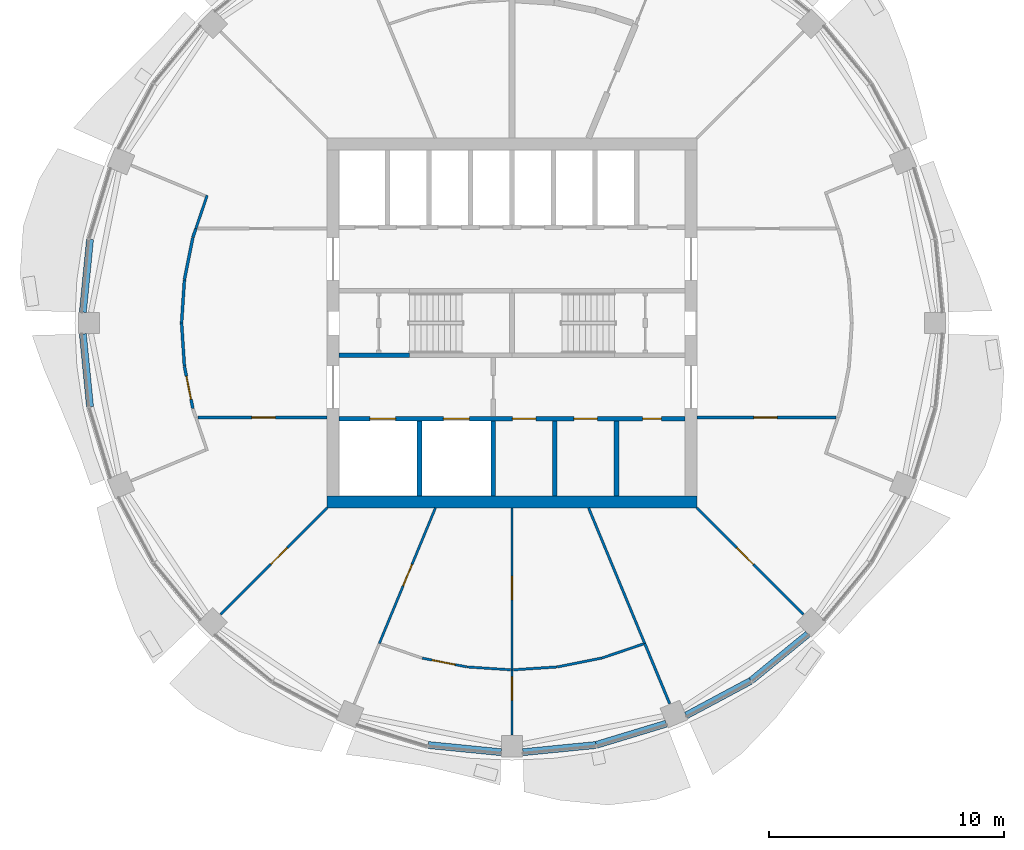
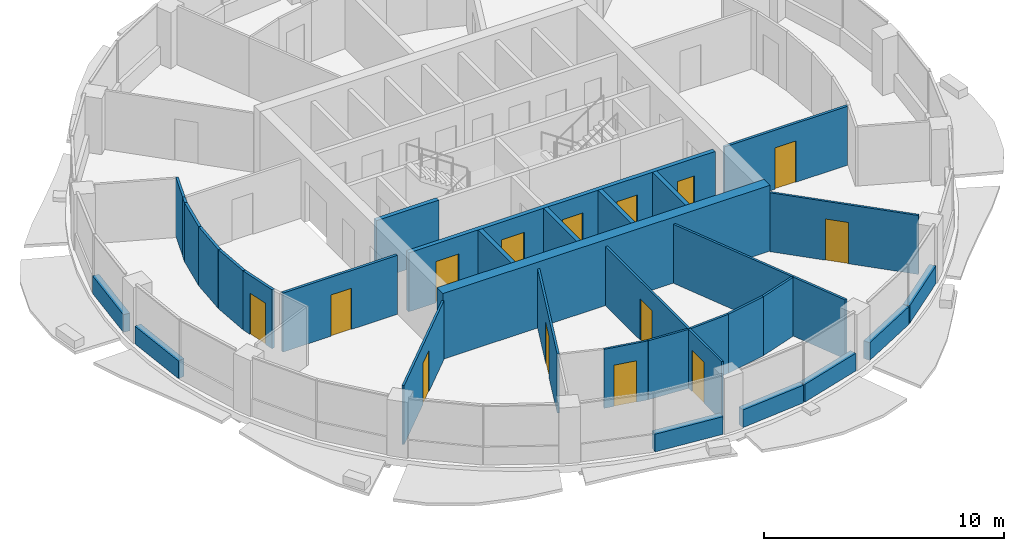
# One storey, part 8 of 15: 34 walls, 14 doors, 14 openings.
"""IFC4 building model written with IfcOpenShell, lengths in metres."""

from ifc_helpers import new_model, si_unit, direction, frame, frame_2d, origin, place, context, subcontext, project, spatial, rectangle, extrude, material, layer, layer_set, type_object, element, fill, save


model = new_model("IFC4")

# Units and contexts
model_context = context("Model", 3, precision=1e-05, world=origin(), true_north=direction((0.0, 1.0)))
body_context = subcontext(model_context, "Body", "Model", "MODEL_VIEW")
ifc_project = project(units=[si_unit("LENGTHUNIT", "METRE"), si_unit("AREAUNIT", "SQUARE_METRE"), si_unit("VOLUMEUNIT", "CUBIC_METRE"), si_unit("PLANEANGLEUNIT", "RADIAN"), si_unit("MASSUNIT", "GRAM", prefix="KILO")], contexts=[model_context])

# Site, building, storey
site_placement = place(None, origin())
site = spatial("IfcSite", under=ifc_project, at=site_placement, CompositionType="ELEMENT")
building_placement = place(site_placement, origin())
building = spatial("IfcBuilding", under=site, at=building_placement, Name="Polderwave Tower", CompositionType="ELEMENT")
storey_placement = place(building_placement, frame((0.0, 0.0, 180.949951171875)))
storey = spatial("IfcBuildingStorey", under=building, at=storey_placement, Name="L48", CompositionType="ELEMENT", Elevation=180.949951171875)

# Walls
ifc_material_1 = material(Name="Concrete C60/75", Category="concrete")
ifc_layer_1 = layer(ifc_material_1, 0.5)
ifc_layer_set_1 = layer_set([ifc_layer_1], Name="CORE WALL 500 C60/75")
wall_type_1 = type_object("IfcWallType", Name="CORE WALL 500 C60/75", PredefinedType="SHEAR", material=ifc_layer_set_1)
wall_1_placement = place(storey_placement, frame((-7.8740234375, -7.6240234375, 0.0), z_axis=(0.0, 0.0, 1.0), x_axis=(1.0, 0.0, 0.0)))
element("IfcWall", 1, at=wall_1_placement, inside=storey, type_object=wall_type_1, Name="ST-CORE-L48-S", PredefinedType="SHEAR", context=body_context, shape_type="SweptSolid", body=[
    extrude(rectangle(XDim=15.748046875, YDim=0.5, at=frame_2d((7.8740234375, 0.0))), origin(), (0.0, 0.0, 1.0), 3.35009765625),
])
ifc_material_2 = material(Name="Concrete C50/60 (board-marked)", Category="concrete")
ifc_layer_2 = layer(ifc_material_2, 0.300048828125)
ifc_layer_set_2 = layer_set([ifc_layer_2], Name="Concrete spandrel upstand C50/60")
wall_type_2 = type_object("IfcWallType", Name="Concrete spandrel upstand C50/60", PredefinedType="SOLIDWALL", material=ifc_layer_set_2)
for number, where, z_axis, x_axis, name in (
    (2, (-17.969482421875, 3.55908203125, 0.0), (0.0, 0.0, 1.0), (-0.098042483483, -0.995182230264, 0.0), "Spandrel L48 8b"),
    (3, (-18.2744140625, -0.4638671875, 0.0), (0.0, 0.0, 1.0), (0.098042483483, -0.995182230264, 0.0), "Spandrel L48 9a"),
    (4, (-3.55908203125, -17.969482421875, 0.0), (0.0, 0.0, 1.0), (0.995182230264, -0.098042483483, 0.0), "Spandrel L48 12b"),
    (5, (0.4638671875, -18.2744140625, 0.0), (0.0, 0.0, 1.0), (0.995182230264, 0.098042483483, 0.0), "Spandrel L48 13a"),
):
    element("IfcWall", number, at=place(storey_placement, frame(where, z_axis=z_axis, x_axis=x_axis)), inside=storey, type_object=wall_type_2, Name=name, PredefinedType="SOLIDWALL", context=body_context, shape_type="SweptSolid", body=[
        extrude(rectangle(XDim=3.110107421875, YDim=0.300048828125, at=frame_2d((1.55517578125, 0.0))), origin(), (0.0, 0.0, 1.0), 0.900146484375),
    ])
for number, where, z_axis, x_axis, name in (
    (6, (3.58837890625, -17.963623046875, 0.0), (0.0, 0.0, 1.0), (0.956898885778, 0.290421284339, 0.0), "Spandrel L48 13b"),
    (7, (7.422119140625, -16.705810546875, 0.0), (0.0, 0.0, 1.0), (0.881813490025, 0.471598312985, 0.0), "Spandrel L48 14a"),
):
    element("IfcWall", number, at=place(storey_placement, frame(where, z_axis=z_axis, x_axis=x_axis)), inside=storey, type_object=wall_type_2, Name=name, PredefinedType="SOLIDWALL", context=body_context, shape_type="SweptSolid", body=[
        extrude(rectangle(XDim=3.1103515625, YDim=0.300048828125, at=frame_2d((1.55517578125, 0.0))), origin(), (0.0, 0.0, 1.0), 0.900146484375),
    ])
wall_2_placement = place(storey_placement, frame((10.189697265625, -15.222412109375, 0.0), z_axis=(0.0, 0.0, 1.0), x_axis=(0.773113831461, 0.634267296653, 0.0)))
element("IfcWall", 8, at=wall_2_placement, inside=storey, type_object=wall_type_2, Name="Spandrel L48 14b", PredefinedType="SOLIDWALL", context=body_context, shape_type="SweptSolid", body=[
    extrude(rectangle(XDim=3.110595703125, YDim=0.300048828125, at=frame_2d((1.55517578125, 0.0))), origin(), (0.0, 0.0, 1.0), 0.900146484375),
])
ifc_material_3 = material(Name="Gypsum board partition")
ifc_layer_3 = layer(ifc_material_3, 0.199951171875)
ifc_layer_set_3 = layer_set([ifc_layer_3], Name="Core room partition 200")
wall_type_3 = type_object("IfcWallType", Name="Core room partition 200", PredefinedType="PARTITIONING", material=ifc_layer_set_3)
for number, where, z_axis, x_axis, name in (
    (9, (1.823486328125, -7.3740234375, 0.0), (0.0, 0.0, 1.0), (0.0, 1.0, 0.0), "L48 room partition S1"),
    (10, (4.44677734375, -7.3740234375, 0.0), (0.0, 0.0, 1.0), (0.0, 1.0, 0.0), "L48 room partition S2"),
):
    element("IfcWall", number, at=place(storey_placement, frame(where, z_axis=z_axis, x_axis=x_axis)), inside=storey, type_object=wall_type_3, Name=name, PredefinedType="PARTITIONING", context=body_context, shape_type="SweptSolid", body=[
        extrude(rectangle(XDim=3.199951171875, YDim=0.199951171875, at=frame_2d((1.60009765625, 0.0))), origin(), (0.0, 0.0, 1.0), 3.0),
    ])

# Wall, openings, doors
ifc_material_4 = material(Name="Concrete C50/60", Category="concrete")
ifc_layer_4 = layer(ifc_material_4, 0.199951171875)
ifc_layer_set_4 = layer_set([ifc_layer_4], Name="Core web wall 200")
wall_type_4 = type_object("IfcWallType", Name="Core web wall 200", PredefinedType="SHEAR", material=ifc_layer_set_4)
wall_3_placement = place(storey_placement, frame((-7.3740234375, -4.073974609375, 0.0), z_axis=(0.0, 0.0, 1.0), x_axis=(1.0, 0.0, 0.0)))
wall_3 = element("IfcWall", 11, at=wall_3_placement, inside=storey, type_object=wall_type_4, Name="L48 south front wall", PredefinedType="SHEAR", context=body_context, shape_type="SweptSolid", body=[
    extrude(rectangle(XDim=14.748046875, YDim=0.199951171875, at=frame_2d((7.3740234375, 0.0))), origin(), (0.0, 0.0, 1.0), 3.0),
])
opening_1_placement = place(wall_3_placement, frame((1.318603515625, 0.0, 0.0)))
opening_1 = element("IfcOpeningElement", 12, at=opening_1_placement, cuts=wall_3, Name="Opening L48-D01", PredefinedType="OPENING", context=body_context, shape_type="SweptSolid", body=[
    extrude(rectangle(XDim=1.10009765625, YDim=2.10009765625, at=frame_2d((0.550048828125, 1.050048828125))), frame((0.0, 0.10986328125, 0.0), z_axis=(0.0, -1.0, 0.0), x_axis=(1.0, 0.0, 0.0)), (0.0, 0.0, 1.0), 0.219970703125),
])
opening_2_placement = place(wall_3_placement, frame((4.45556640625, 0.0, 0.0)))
opening_2 = element("IfcOpeningElement", 13, at=opening_2_placement, cuts=wall_3, Name="Opening L48-D02", PredefinedType="OPENING", context=body_context, shape_type="SweptSolid", body=[
    extrude(rectangle(XDim=1.10009765625, YDim=2.10009765625, at=frame_2d((0.550048828125, 1.050048828125))), frame((0.0, 0.10986328125, 0.0), z_axis=(0.0, -1.0, 0.0), x_axis=(1.0, 0.0, 0.0)), (0.0, 0.0, 1.0), 0.219970703125),
])
opening_3_placement = place(wall_3_placement, frame((7.3857421875, 0.0, 0.0)))
opening_3 = element("IfcOpeningElement", 14, at=opening_3_placement, cuts=wall_3, Name="Opening L48-D15", PredefinedType="OPENING", context=body_context, shape_type="SweptSolid", body=[
    extrude(rectangle(XDim=1.0, YDim=2.10009765625, at=frame_2d((0.5, 1.050048828125))), frame((0.0, 0.10986328125, 0.0), z_axis=(0.0, -1.0, 0.0), x_axis=(1.0, 0.0, 0.0)), (0.0, 0.0, 1.0), 0.219970703125),
])
opening_4_placement = place(wall_3_placement, frame((10.009033203125, 0.0, 0.0)))
opening_4 = element("IfcOpeningElement", 15, at=opening_4_placement, cuts=wall_3, Name="Opening L48-D16", PredefinedType="OPENING", context=body_context, shape_type="SweptSolid", body=[
    extrude(rectangle(XDim=1.0, YDim=2.10009765625, at=frame_2d((0.5, 1.050048828125))), frame((0.0, 0.10986328125, 0.0), z_axis=(0.0, -1.0, 0.0), x_axis=(1.0, 0.0, 0.0)), (0.0, 0.0, 1.0), 0.219970703125),
])
opening_5_placement = place(wall_3_placement, frame((12.934326171875, 0.0, 0.0)))
opening_5 = element("IfcOpeningElement", 16, at=opening_5_placement, cuts=wall_3, Name="Opening L48-D17", PredefinedType="OPENING", context=body_context, shape_type="SweptSolid", body=[
    extrude(rectangle(XDim=0.800048828125, YDim=2.10009765625, at=frame_2d((0.39990234375, 1.050048828125))), frame((0.0, 0.10986328125, 0.0), z_axis=(0.0, -1.0, 0.0), x_axis=(1.0, 0.0, 0.0)), (0.0, 0.0, 1.0), 0.219970703125),
])
ifc_material_5 = material(Name="Stainless steel", Category="steel")
door_type_1 = type_object("IfcDoorType", Name="Fire-fighting lift landing door 1100", OperationType="DOUBLE_DOOR_SLIDING", PredefinedType="DOOR", material=ifc_material_5)
door_1_placement = place(opening_1_placement, origin())
door_1 = element("IfcDoor", 17, at=door_1_placement, inside=storey, type_object=door_type_1, Name="Fire-fighting lift FF1 landing door", OperationType="DOUBLE_DOOR_SLIDING", OverallHeight=2.10009765625, OverallWidth=1.10009765625, PredefinedType="DOOR", context=body_context, shape_type="SweptSolid", body=[
    extrude(rectangle(XDim=1.10009765625, YDim=2.10009765625, at=frame_2d((0.550048828125, 1.050048828125))), frame((0.0, 0.02490234375, 0.0), z_axis=(0.0, -1.0, 0.0), x_axis=(1.0, 0.0, 0.0)), (0.0, 0.0, 1.0), 0.050048828125),
])
fill(opening_1, door_1)
door_2_placement = place(opening_2_placement, origin())
door_2 = element("IfcDoor", 18, at=door_2_placement, inside=storey, type_object=door_type_1, Name="Fire-fighting lift FF2 landing door", OperationType="DOUBLE_DOOR_SLIDING", OverallHeight=2.10009765625, OverallWidth=1.10009765625, PredefinedType="DOOR", context=body_context, shape_type="SweptSolid", body=[
    extrude(rectangle(XDim=1.10009765625, YDim=2.10009765625, at=frame_2d((0.550048828125, 1.050048828125))), frame((0.0, 0.02490234375, 0.0), z_axis=(0.0, -1.0, 0.0), x_axis=(1.0, 0.0, 0.0)), (0.0, 0.0, 1.0), 0.050048828125),
])
fill(opening_2, door_2)
ifc_material_6 = material(Name="Steel fire door", Category="steel")
door_type_2 = type_object("IfcDoorType", Name="Riser door 800", OperationType="NOTDEFINED", PredefinedType="DOOR", material=ifc_material_6)
door_3_placement = place(opening_5_placement, origin())
door_3 = element("IfcDoor", 19, at=door_3_placement, inside=storey, type_object=door_type_2, Name="Electrical room door", OperationType="SINGLE_SWING_RIGHT", OverallHeight=2.10009765625, OverallWidth=0.800048828125, PredefinedType="DOOR", context=body_context, shape_type="SweptSolid", body=[
    extrude(rectangle(XDim=0.800048828125, YDim=2.10009765625, at=frame_2d((0.39990234375, 1.050048828125))), frame((0.0, 0.02490234375, 0.0), z_axis=(0.0, -1.0, 0.0), x_axis=(1.0, 0.0, 0.0)), (0.0, 0.0, 1.0), 0.050048828125),
])
fill(opening_5, door_3)
ifc_material_7 = material(Name="Timber door leaf", Category="wood")
door_type_3 = type_object("IfcDoorType", Name="Room door 1000", OperationType="NOTDEFINED", PredefinedType="DOOR", material=ifc_material_7)
door_4_placement = place(opening_3_placement, frame((1.0, 0.0, 0.0), z_axis=(0.0, 0.0, 1.0), x_axis=(-1.0, 0.0, 0.0)))
door_4 = element("IfcDoor", 20, at=door_4_placement, inside=storey, type_object=door_type_3, Name="Housekeeping store door", OperationType="SINGLE_SWING_LEFT", OverallHeight=2.10009765625, OverallWidth=1.0, PredefinedType="DOOR", context=body_context, shape_type="SweptSolid", body=[
    extrude(rectangle(XDim=1.0, YDim=2.10009765625, at=frame_2d((0.5, 1.050048828125))), frame((0.0, 0.02490234375, 0.0), z_axis=(0.0, -1.0, 0.0), x_axis=(1.0, 0.0, 0.0)), (0.0, 0.0, 1.0), 0.050048828125),
])
fill(opening_3, door_4)
door_5_placement = place(opening_4_placement, frame((1.0, 0.0, 0.0), z_axis=(0.0, 0.0, 1.0), x_axis=(-1.0, 0.0, 0.0)))
door_5 = element("IfcDoor", 21, at=door_5_placement, inside=storey, type_object=door_type_3, Name="Pantry door", OperationType="SINGLE_SWING_LEFT", OverallHeight=2.10009765625, OverallWidth=1.0, PredefinedType="DOOR", context=body_context, shape_type="SweptSolid", body=[
    extrude(rectangle(XDim=1.0, YDim=2.10009765625, at=frame_2d((0.5, 1.050048828125))), frame((0.0, 0.02490234375, 0.0), z_axis=(0.0, -1.0, 0.0), x_axis=(1.0, 0.0, 0.0)), (0.0, 0.0, 1.0), 0.050048828125),
])
fill(opening_4, door_5)

# Wall
wall_4_placement = place(storey_placement, frame((-7.3740234375, -1.375, 0.0), z_axis=(0.0, 0.0, 1.0), x_axis=(1.0, 0.0, 0.0)))
element("IfcWall", 22, at=wall_4_placement, inside=storey, type_object=wall_type_4, Name="L48 south stair wall 1", PredefinedType="SHEAR", context=body_context, shape_type="SweptSolid", body=[
    extrude(rectangle(XDim=3.0, YDim=0.199951171875, at=frame_2d((1.5, 0.0))), origin(), (0.0, 0.0, 1.0), 3.0),
])

# Wall, opening, door
ifc_material_8 = material(Name="Fire-resisting board on steel studs", Category="steel")
ifc_layer_5 = layer(ifc_material_8, 0.125)
ifc_layer_set_5 = layer_set([ifc_layer_5], Name="Corridor wall 125 mm EI 60")
wall_type_5 = type_object("IfcWallType", Name="Corridor wall 125 mm EI 60", PredefinedType="PARTITIONING", material=ifc_layer_set_5)
wall_5_placement = place(storey_placement, frame((13.794921875, -4.0244140625, 0.0), z_axis=(0.0, 0.0, 1.0), x_axis=(-1.0, 0.0, 0.0)))
wall_5 = element("IfcWall", 23, at=wall_5_placement, inside=storey, type_object=wall_type_5, Name="IN-L48-W008", PredefinedType="PARTITIONING", context=body_context, shape_type="SweptSolid", body=[
    extrude(rectangle(XDim=5.9208984375, YDim=0.125, at=frame_2d((2.96044921875, 0.0))), origin(), (0.0, 0.0, 1.0), 3.0),
])
opening_6_placement = place(wall_5_placement, frame((2.5, 0.0, 0.0)))
opening_6 = element("IfcOpeningElement", 24, at=opening_6_placement, cuts=wall_5, Name="Opening L48-D52", PredefinedType="OPENING", context=body_context, shape_type="SweptSolid", body=[
    extrude(rectangle(XDim=1.0, YDim=2.10009765625, at=frame_2d((0.5, 1.050048828125))), frame((0.0, 0.072509765625, 0.0), z_axis=(0.0, -1.0, 0.0), x_axis=(1.0, 0.0, 0.0)), (0.0, 0.0, 1.0), 0.14501953125),
])
ifc_material_9 = material(Name="Timber fire door leaf", Category="wood")
door_type_4 = type_object("IfcDoorType", Name="Fire door FD30S 1000 x 2100", OperationType="NOTDEFINED", PredefinedType="DOOR", material=ifc_material_9)
door_6_placement = place(opening_6_placement, origin())
door_6 = element("IfcDoor", 25, at=door_6_placement, inside=storey, type_object=door_type_4, Name="Door L48-D52", OperationType="SINGLE_SWING_RIGHT", OverallHeight=2.10009765625, OverallWidth=1.0, PredefinedType="DOOR", context=body_context, shape_type="SweptSolid", body=[
    extrude(rectangle(XDim=1.0, YDim=2.10009765625, at=frame_2d((0.5, 1.050048828125))), frame((0.0, 0.02490234375, 0.0), z_axis=(0.0, -1.0, 0.0), x_axis=(1.0, 0.0, 0.0)), (0.0, 0.0, 1.0), 0.050048828125),
])
fill(opening_6, door_6)

# Walls
for number, where, z_axis, x_axis, name in (
    (26, (-14.069580078125, 0.004150390625, 0.0), (0.0, 0.0, 1.0), (0.065289693198, 0.997866351754, 0.0), "IN-L48-W010"),
    (27, (-13.949951171875, -1.83251953125, 0.0), (0.0, 0.0, 1.0), (-0.065289693198, 0.997866351754, 0.0), "IN-L48-W011"),
    (28, (-13.94873046875, 1.840576171875, 0.0), (0.0, 0.0, 1.0), (0.195065465094, 0.980790224425, 0.0), "IN-L48-W012"),
):
    element("IfcWall", number, at=place(storey_placement, frame(where, z_axis=z_axis, x_axis=x_axis)), inside=storey, type_object=wall_type_5, Name=name, PredefinedType="PARTITIONING", context=body_context, shape_type="SweptSolid", body=[
        extrude(rectangle(XDim=1.832275390625, YDim=0.125, at=frame_2d((0.916015625, 0.0))), origin(), (0.0, 0.0, 1.0), 3.0),
    ])

# Wall, opening, door
wall_6_placement = place(storey_placement, frame((-13.59130859375, -3.6376953125, 0.0), z_axis=(0.0, 0.0, 1.0), x_axis=(-0.195065465094, 0.980790224425, 0.0)))
wall_6 = element("IfcWall", 29, at=wall_6_placement, inside=storey, type_object=wall_type_5, Name="IN-L48-W013", PredefinedType="PARTITIONING", context=body_context, shape_type="SweptSolid", body=[
    extrude(rectangle(XDim=1.832275390625, YDim=0.125, at=frame_2d((0.916015625, 0.0))), origin(), (0.0, 0.0, 1.0), 3.0),
])
opening_7_placement = place(wall_6_placement, frame((0.39990234375, 0.0, 0.0)))
opening_7 = element("IfcOpeningElement", 30, at=opening_7_placement, cuts=wall_6, Name="Opening L48-D54", PredefinedType="OPENING", context=body_context, shape_type="SweptSolid", body=[
    extrude(rectangle(XDim=1.0, YDim=2.10009765625, at=frame_2d((0.5, 1.050048828125))), frame((0.0, 0.072509765625, 0.0), z_axis=(0.0, -1.0, 0.0), x_axis=(1.0, 0.0, 0.0)), (0.0, 0.0, 1.0), 0.14501953125),
])
door_7_placement = place(opening_7_placement, origin())
door_7 = element("IfcDoor", 31, at=door_7_placement, inside=storey, type_object=door_type_4, Name="Door L48-D54", OperationType="SINGLE_SWING_LEFT", OverallHeight=2.10009765625, OverallWidth=1.0, PredefinedType="DOOR", context=body_context, shape_type="SweptSolid", body=[
    extrude(rectangle(XDim=1.0, YDim=2.10009765625, at=frame_2d((0.5, 1.050048828125))), frame((0.0, 0.02490234375, 0.0), z_axis=(0.0, -1.0, 0.0), x_axis=(1.0, 0.0, 0.0)), (0.0, 0.0, 1.0), 0.050048828125),
])
fill(opening_7, door_7)

# Wall
wall_7_placement = place(storey_placement, frame((-13.58935546875, 3.6455078125, 0.0), z_axis=(0.0, 0.0, 1.0), x_axis=(0.321530820204, 0.94689911377, 0.0)))
element("IfcWall", 32, at=wall_7_placement, inside=storey, type_object=wall_type_5, Name="IN-L48-W014", PredefinedType="PARTITIONING", context=body_context, shape_type="SweptSolid", body=[
    extrude(rectangle(XDim=0.400146484375, YDim=0.125, at=frame_2d((0.2001953125, 0.0))), origin(), (0.0, 0.0, 1.0), 3.0),
])

# Wall, opening, door
wall_8_placement = place(storey_placement, frame((-7.8740234375, -4.0244140625, 0.0), z_axis=(0.0, 0.0, 1.0), x_axis=(-1.0, 0.0, 0.0)))
wall_8 = element("IfcWall", 33, at=wall_8_placement, inside=storey, type_object=wall_type_5, Name="IN-L48-W016", PredefinedType="PARTITIONING", context=body_context, shape_type="SweptSolid", body=[
    extrude(rectangle(XDim=5.499267578125, YDim=0.125, at=frame_2d((2.74951171875, 0.0))), origin(), (0.0, 0.0, 1.0), 3.0),
])
opening_8_placement = place(wall_8_placement, frame((2.199951171875, 0.0, 0.0)))
opening_8 = element("IfcOpeningElement", 34, at=opening_8_placement, cuts=wall_8, Name="Opening L48-D55", PredefinedType="OPENING", context=body_context, shape_type="SweptSolid", body=[
    extrude(rectangle(XDim=1.0, YDim=2.10009765625, at=frame_2d((0.5, 1.050048828125))), frame((0.0, 0.072509765625, 0.0), z_axis=(0.0, -1.0, 0.0), x_axis=(1.0, 0.0, 0.0)), (0.0, 0.0, 1.0), 0.14501953125),
])
door_8_placement = place(opening_8_placement, origin())
door_8 = element("IfcDoor", 35, at=door_8_placement, inside=storey, type_object=door_type_4, Name="Door L48-D55", OperationType="SINGLE_SWING_LEFT", OverallHeight=2.10009765625, OverallWidth=1.0, PredefinedType="DOOR", context=body_context, shape_type="SweptSolid", body=[
    extrude(rectangle(XDim=1.0, YDim=2.10009765625, at=frame_2d((0.5, 1.050048828125))), frame((0.0, 0.02490234375, 0.0), z_axis=(0.0, -1.0, 0.0), x_axis=(1.0, 0.0, 0.0)), (0.0, 0.0, 1.0), 0.050048828125),
])
fill(opening_8, door_8)

ifc_material_10 = material(Name="Plasterboard on steel studs", Category="steel")
ifc_layer_6 = layer(ifc_material_10, 0.10009765625)
ifc_layer_set_6 = layer_set([ifc_layer_6], Name="Partition 100 mm plasterboard on steel studs")
wall_type_6 = type_object("IfcWallType", Name="Partition 100 mm plasterboard on steel studs", PredefinedType="PARTITIONING", material=ifc_layer_set_6)
wall_9_placement = place(storey_placement, frame((-7.8740234375, -7.8740234375, 0.0), z_axis=(0.0, 0.0, 1.0), x_axis=(-0.707106781187, -0.707106781187, 0.0)))
wall_9 = element("IfcWall", 36, at=wall_9_placement, inside=storey, type_object=wall_type_6, Name="IN-L48-W039", PredefinedType="PARTITIONING", context=body_context, shape_type="SweptSolid", body=[
    extrude(rectangle(XDim=6.404296875, YDim=0.10009765625, at=frame_2d((3.2021484375, 0.0))), origin(), (0.0, 0.0, 1.0), 3.0),
])
opening_9_placement = place(wall_9_placement, frame((2.39990234375, 0.0, 0.0)))
opening_9 = element("IfcOpeningElement", 37, at=opening_9_placement, cuts=wall_9, Name="Opening L48-D62", PredefinedType="OPENING", context=body_context, shape_type="SweptSolid", body=[
    extrude(rectangle(XDim=1.0, YDim=2.10009765625, at=frame_2d((0.5, 1.050048828125))), frame((0.0, 0.06005859375, 0.0), z_axis=(0.0, -1.0, 0.0), x_axis=(1.0, 0.0, 0.0)), (0.0, 0.0, 1.0), 0.1201171875),
])
ifc_material_11 = material(Name="Timber veneer door leaf", Category="wood")
door_type_5 = type_object("IfcDoorType", Name="Single door 1000 x 2100", OperationType="NOTDEFINED", PredefinedType="DOOR", material=ifc_material_11)
door_9_placement = place(opening_9_placement, origin())
door_9 = element("IfcDoor", 38, at=door_9_placement, inside=storey, type_object=door_type_5, Name="Door L48-D62", OperationType="SINGLE_SWING_LEFT", OverallHeight=2.10009765625, OverallWidth=1.0, PredefinedType="DOOR", context=body_context, shape_type="SweptSolid", body=[
    extrude(rectangle(XDim=1.0, YDim=2.10009765625, at=frame_2d((0.5, 1.050048828125))), frame((0.0, 0.02490234375, 0.0), z_axis=(0.0, -1.0, 0.0), x_axis=(1.0, 0.0, 0.0)), (0.0, 0.0, 1.0), 0.050048828125),
])
fill(opening_9, door_9)

wall_10_placement = place(storey_placement, frame((-3.261474609375, -7.8740234375, 0.0), z_axis=(0.0, 0.0, 1.0), x_axis=(-0.382669328176, -0.923885374532, 0.0)))
wall_10 = element("IfcWall", 39, at=wall_10_placement, inside=storey, type_object=wall_type_6, Name="IN-L48-W040", PredefinedType="PARTITIONING", context=body_context, shape_type="SweptSolid", body=[
    extrude(rectangle(XDim=6.247314453125, YDim=0.10009765625, at=frame_2d((3.12353515625, 0.0))), origin(), (0.0, 0.0, 1.0), 3.0),
])
opening_10_placement = place(wall_10_placement, frame((2.60009765625, 0.0, 0.0)))
opening_10 = element("IfcOpeningElement", 40, at=opening_10_placement, cuts=wall_10, Name="Opening L48-D63", PredefinedType="OPENING", context=body_context, shape_type="SweptSolid", body=[
    extrude(rectangle(XDim=1.0, YDim=2.10009765625, at=frame_2d((0.5, 1.050048828125))), frame((0.0, 0.06005859375, 0.0), z_axis=(0.0, -1.0, 0.0), x_axis=(1.0, 0.0, 0.0)), (0.0, 0.0, 1.0), 0.1201171875),
])
door_10_placement = place(opening_10_placement, origin())
door_10 = element("IfcDoor", 41, at=door_10_placement, inside=storey, type_object=door_type_5, Name="Door L48-D63", OperationType="SINGLE_SWING_LEFT", OverallHeight=2.10009765625, OverallWidth=1.0, PredefinedType="DOOR", context=body_context, shape_type="SweptSolid", body=[
    extrude(rectangle(XDim=1.0, YDim=2.10009765625, at=frame_2d((0.5, 1.050048828125))), frame((0.0, 0.02490234375, 0.0), z_axis=(0.0, -1.0, 0.0), x_axis=(1.0, 0.0, 0.0)), (0.0, 0.0, 1.0), 0.050048828125),
])
fill(opening_10, door_10)

wall_11_placement = place(storey_placement, frame((-1.93115234375, -14.64306640625, 0.0), z_axis=(0.0, 0.0, 1.0), x_axis=(-0.980775263006, 0.195140676117, 0.0)))
wall_11 = element("IfcWall", 42, at=wall_11_placement, inside=storey, type_object=wall_type_6, Name="IN-L48-W043", PredefinedType="PARTITIONING", context=body_context, shape_type="SweptSolid", body=[
    extrude(rectangle(XDim=1.925537109375, YDim=0.10009765625, at=frame_2d((0.962890625, 0.0))), origin(), (0.0, 0.0, 1.0), 3.0),
])
opening_11_placement = place(wall_11_placement, frame((0.5, 0.0, 0.0)))
opening_11 = element("IfcOpeningElement", 43, at=opening_11_placement, cuts=wall_11, Name="Opening L48-D64", PredefinedType="OPENING", context=body_context, shape_type="SweptSolid", body=[
    extrude(rectangle(XDim=1.0, YDim=2.10009765625, at=frame_2d((0.5, 1.050048828125))), frame((0.0, 0.06005859375, 0.0), z_axis=(0.0, -1.0, 0.0), x_axis=(1.0, 0.0, 0.0)), (0.0, 0.0, 1.0), 0.1201171875),
])
door_11_placement = place(opening_11_placement, origin())
door_11 = element("IfcDoor", 44, at=door_11_placement, inside=storey, type_object=door_type_5, Name="Door L48-D64", OperationType="SINGLE_SWING_RIGHT", OverallHeight=2.10009765625, OverallWidth=1.0, PredefinedType="DOOR", context=body_context, shape_type="SweptSolid", body=[
    extrude(rectangle(XDim=1.0, YDim=2.10009765625, at=frame_2d((0.5, 1.050048828125))), frame((0.0, 0.02490234375, 0.0), z_axis=(0.0, -1.0, 0.0), x_axis=(1.0, 0.0, 0.0)), (0.0, 0.0, 1.0), 0.050048828125),
])
fill(opening_11, door_11)

# Wall
wall_12_placement = place(storey_placement, frame((-0.055908203125, -14.766357421875, 0.0), z_axis=(0.0, 0.0, 1.0), x_axis=(-0.997856111695, 0.065446010984, 0.0)))
element("IfcWall", 45, at=wall_12_placement, inside=storey, type_object=wall_type_6, Name="IN-L48-W044", PredefinedType="PARTITIONING", context=body_context, shape_type="SweptSolid", body=[
    extrude(rectangle(XDim=1.87255859375, YDim=0.10009765625, at=frame_2d((0.936279296875, 0.0))), origin(), (0.0, 0.0, 1.0), 3.0),
])

# Wall, opening, door
wall_13_placement = place(storey_placement, frame((0.0, -14.77001953125, 0.0), z_axis=(0.0, 0.0, 1.0), x_axis=(0.0, -1.0, 0.0)))
wall_13 = element("IfcWall", 46, at=wall_13_placement, inside=storey, type_object=wall_type_6, Name="IN-L48-W046", PredefinedType="PARTITIONING", context=body_context, shape_type="SweptSolid", body=[
    extrude(rectangle(XDim=2.77001953125, YDim=0.10009765625, at=frame_2d((1.385009765625, 0.0))), origin(), (0.0, 0.0, 1.0), 3.0),
])
opening_12_placement = place(wall_13_placement, frame((0.300048828125, 0.0, 0.0)))
opening_12 = element("IfcOpeningElement", 47, at=opening_12_placement, cuts=wall_13, Name="Opening L48-D66", PredefinedType="OPENING", context=body_context, shape_type="SweptSolid", body=[
    extrude(rectangle(XDim=1.0, YDim=2.10009765625, at=frame_2d((0.5, 1.050048828125))), frame((0.0, 0.06005859375, 0.0), z_axis=(0.0, -1.0, 0.0), x_axis=(1.0, 0.0, 0.0)), (0.0, 0.0, 1.0), 0.1201171875),
])
door_12_placement = place(opening_12_placement, origin())
door_12 = element("IfcDoor", 48, at=door_12_placement, inside=storey, type_object=door_type_5, Name="Door L48-D66", OperationType="SINGLE_SWING_LEFT", OverallHeight=2.10009765625, OverallWidth=1.0, PredefinedType="DOOR", context=body_context, shape_type="SweptSolid", body=[
    extrude(rectangle(XDim=1.0, YDim=2.10009765625, at=frame_2d((0.5, 1.050048828125))), frame((0.0, 0.02490234375, 0.0), z_axis=(0.0, -1.0, 0.0), x_axis=(1.0, 0.0, 0.0)), (0.0, 0.0, 1.0), 0.050048828125),
])
fill(opening_12, door_12)

wall_14_placement = place(storey_placement, frame((12.402587890625, -12.402587890625, 0.0), z_axis=(0.0, 0.0, 1.0), x_axis=(-0.707106781187, 0.707106781187, 0.0)))
wall_14 = element("IfcWall", 49, at=wall_14_placement, inside=storey, type_object=wall_type_6, Name="IN-L48-W052", PredefinedType="PARTITIONING", context=body_context, shape_type="SweptSolid", body=[
    extrude(rectangle(XDim=6.404296875, YDim=0.10009765625, at=frame_2d((3.2021484375, 0.0))), origin(), (0.0, 0.0, 1.0), 3.0),
])
opening_13_placement = place(wall_14_placement, frame((3.0, 0.0, 0.0)))
opening_13 = element("IfcOpeningElement", 50, at=opening_13_placement, cuts=wall_14, Name="Opening L48-D67", PredefinedType="OPENING", context=body_context, shape_type="SweptSolid", body=[
    extrude(rectangle(XDim=1.0, YDim=2.10009765625, at=frame_2d((0.5, 1.050048828125))), frame((0.0, 0.06005859375, 0.0), z_axis=(0.0, -1.0, 0.0), x_axis=(1.0, 0.0, 0.0)), (0.0, 0.0, 1.0), 0.1201171875),
])
door_13_placement = place(opening_13_placement, origin())
door_13 = element("IfcDoor", 51, at=door_13_placement, inside=storey, type_object=door_type_5, Name="Door L48-D67", OperationType="SINGLE_SWING_RIGHT", OverallHeight=2.10009765625, OverallWidth=1.0, PredefinedType="DOOR", context=body_context, shape_type="SweptSolid", body=[
    extrude(rectangle(XDim=1.0, YDim=2.10009765625, at=frame_2d((0.5, 1.050048828125))), frame((0.0, 0.02490234375, 0.0), z_axis=(0.0, -1.0, 0.0), x_axis=(1.0, 0.0, 0.0)), (0.0, 0.0, 1.0), 0.050048828125),
])
fill(opening_13, door_13)

ifc_material_12 = material(Name="Moisture-resistant board on steel studs, tiled", Category="steel")
ifc_layer_7 = layer(ifc_material_12, 0.10498046875)
ifc_layer_set_7 = layer_set([ifc_layer_7], Name="Partition 105 mm wet room board and tile")
wall_type_7 = type_object("IfcWallType", Name="Partition 105 mm wet room board and tile", PredefinedType="PARTITIONING", material=ifc_layer_set_7)
wall_15_placement = place(storey_placement, frame((0.0, -7.8740234375, 0.0), z_axis=(0.0, 0.0, 1.0), x_axis=(0.0, -1.0, 0.0)))
wall_15 = element("IfcWall", 52, at=wall_15_placement, inside=storey, type_object=wall_type_7, Name="IN-L48-W045", PredefinedType="PARTITIONING", context=body_context, shape_type="SweptSolid", body=[
    extrude(rectangle(XDim=6.89599609375, YDim=0.10498046875, at=frame_2d((3.447998046875, 0.0))), origin(), (0.0, 0.0, 1.0), 3.0),
])
opening_14_placement = place(wall_15_placement, frame((2.89990234375, 0.0, 0.0)))
opening_14 = element("IfcOpeningElement", 53, at=opening_14_placement, cuts=wall_15, Name="Opening L48-D65", PredefinedType="OPENING", context=body_context, shape_type="SweptSolid", body=[
    extrude(rectangle(XDim=1.0, YDim=2.10009765625, at=frame_2d((0.5, 1.050048828125))), frame((0.0, 0.0625, 0.0), z_axis=(0.0, -1.0, 0.0), x_axis=(1.0, 0.0, 0.0)), (0.0, 0.0, 1.0), 0.125),
])
door_14_placement = place(opening_14_placement, origin())
door_14 = element("IfcDoor", 54, at=door_14_placement, inside=storey, type_object=door_type_5, Name="Door L48-D65", OperationType="SINGLE_SWING_LEFT", OverallHeight=2.10009765625, OverallWidth=1.0, PredefinedType="DOOR", context=body_context, shape_type="SweptSolid", body=[
    extrude(rectangle(XDim=1.0, YDim=2.10009765625, at=frame_2d((0.5, 1.050048828125))), frame((0.0, 0.02490234375, 0.0), z_axis=(0.0, -1.0, 0.0), x_axis=(1.0, 0.0, 0.0)), (0.0, 0.0, 1.0), 0.050048828125),
])
fill(opening_14, door_14)

# Walls
wall_16_placement = place(storey_placement, frame((1.924560546875, -14.643798828125, 0.0), z_axis=(0.0, 0.0, 1.0), x_axis=(-0.997856111695, -0.065446010984, 0.0)))
element("IfcWall", 55, at=wall_16_placement, inside=storey, type_object=wall_type_7, Name="IN-L48-W047", PredefinedType="PARTITIONING", context=body_context, shape_type="SweptSolid", body=[
    extrude(rectangle(XDim=1.87255859375, YDim=0.10498046875, at=frame_2d((0.936279296875, 0.0))), origin(), (0.0, 0.0, 1.0), 3.0),
])
wall_17_placement = place(storey_placement, frame((3.8193359375, -14.267333984375, 0.0), z_axis=(0.0, 0.0, 1.0), x_axis=(-0.980789874999, -0.195067222003, 0.0)))
element("IfcWall", 56, at=wall_17_placement, inside=storey, type_object=wall_type_7, Name="IN-L48-W048", PredefinedType="PARTITIONING", context=body_context, shape_type="SweptSolid", body=[
    extrude(rectangle(XDim=1.9248046875, YDim=0.10498046875, at=frame_2d((0.96240234375, 0.0))), origin(), (0.0, 0.0, 1.0), 3.0),
])
wall_18_placement = place(storey_placement, frame((5.5966796875, -13.66455078125, 0.0), z_axis=(0.0, 0.0, 1.0), x_axis=(-0.946919091427, -0.32147198057, 0.0)))
element("IfcWall", 57, at=wall_18_placement, inside=storey, type_object=wall_type_7, Name="IN-L48-W049", PredefinedType="PARTITIONING", context=body_context, shape_type="SweptSolid", body=[
    extrude(rectangle(XDim=1.869873046875, YDim=0.10498046875, at=frame_2d((0.93505859375, 0.0))), origin(), (0.0, 0.0, 1.0), 3.0),
])
wall_19_placement = place(storey_placement, frame((3.261474609375, -7.8740234375, 0.0), z_axis=(0.0, 0.0, 1.0), x_axis=(0.382669328176, -0.923885374532, 0.0)))
element("IfcWall", 58, at=wall_19_placement, inside=storey, type_object=wall_type_7, Name="IN-L48-W050", PredefinedType="PARTITIONING", context=body_context, shape_type="SweptSolid", body=[
    extrude(rectangle(XDim=6.247314453125, YDim=0.10498046875, at=frame_2d((3.12353515625, 0.0))), origin(), (0.0, 0.0, 1.0), 3.0),
])
ifc_material_13 = material(Name="Acoustic double plasterboard on steel studs", Category="steel")
ifc_layer_8 = layer(ifc_material_13, 0.110107421875)
ifc_layer_set_8 = layer_set([ifc_layer_8], Name="Partition 110 mm acoustic double board")
wall_type_8 = type_object("IfcWallType", Name="Partition 110 mm acoustic double board", PredefinedType="PARTITIONING", material=ifc_layer_set_8)
wall_20_placement = place(storey_placement, frame((-13.460693359375, 4.0244140625, 0.0), z_axis=(0.0, 0.0, 1.0), x_axis=(0.321527037068, 0.946900398371, 0.0)))
element("IfcWall", 59, at=wall_20_placement, inside=storey, type_object=wall_type_8, Name="IN-L48-W035", PredefinedType="PARTITIONING", context=body_context, shape_type="SweptSolid", body=[
    extrude(rectangle(XDim=1.4912109375, YDim=0.110107421875, at=frame_2d((0.74560546875, 0.0))), origin(), (0.0, 0.0, 1.0), 3.0),
])
wall_21_placement = place(storey_placement, frame((5.652099609375, -13.645751953125, 0.0), z_axis=(0.0, 0.0, 1.0), x_axis=(0.382774716066, -0.923841716281, 0.0)))
element("IfcWall", 60, at=wall_21_placement, inside=storey, type_object=wall_type_8, Name="IN-L48-W051", PredefinedType="PARTITIONING", context=body_context, shape_type="SweptSolid", body=[
    extrude(rectangle(XDim=2.77001953125, YDim=0.110107421875, at=frame_2d((1.385009765625, 0.0))), origin(), (0.0, 0.0, 1.0), 3.0),
])
ifc_material_14 = material(Name="Gypsum shaft wall system")
ifc_layer_9 = layer(ifc_material_14, 0.199951171875)
ifc_layer_set_9 = layer_set([ifc_layer_9], Name="Shaft wall 200")
wall_type_9 = type_object("IfcWallType", Name="Shaft wall 200", PredefinedType="PARTITIONING", material=ifc_layer_set_9)
for number, where, z_axis, x_axis, name in (
    (61, (-3.93701171875, -7.3740234375, 0.0), (0.0, 0.0, 1.0), (0.0, 1.0, 0.0), "L48 fire-fighting shaft wall 1"),
    (62, (-0.800048828125, -7.3740234375, 0.0), (0.0, 0.0, 1.0), (0.0, 1.0, 0.0), "L48 fire-fighting shaft wall 2"),
):
    element("IfcWall", number, at=place(storey_placement, frame(where, z_axis=z_axis, x_axis=x_axis)), inside=storey, type_object=wall_type_9, Name=name, PredefinedType="PARTITIONING", context=body_context, shape_type="SweptSolid", body=[
        extrude(rectangle(XDim=3.199951171875, YDim=0.199951171875, at=frame_2d((1.60009765625, 0.0))), origin(), (0.0, 0.0, 1.0), 3.0),
    ])

save(model, "model.ifc")
